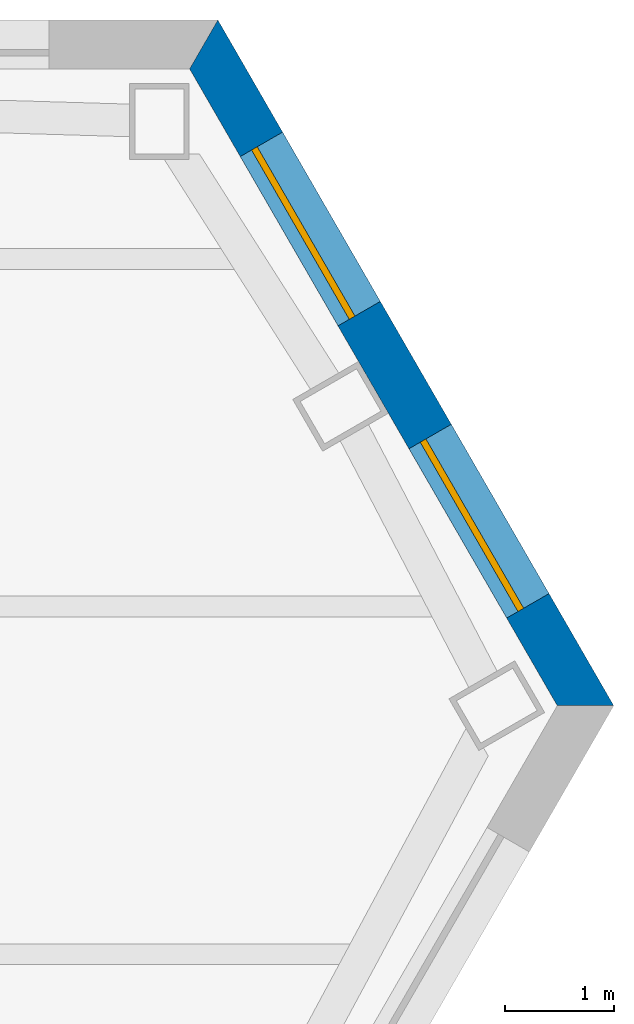
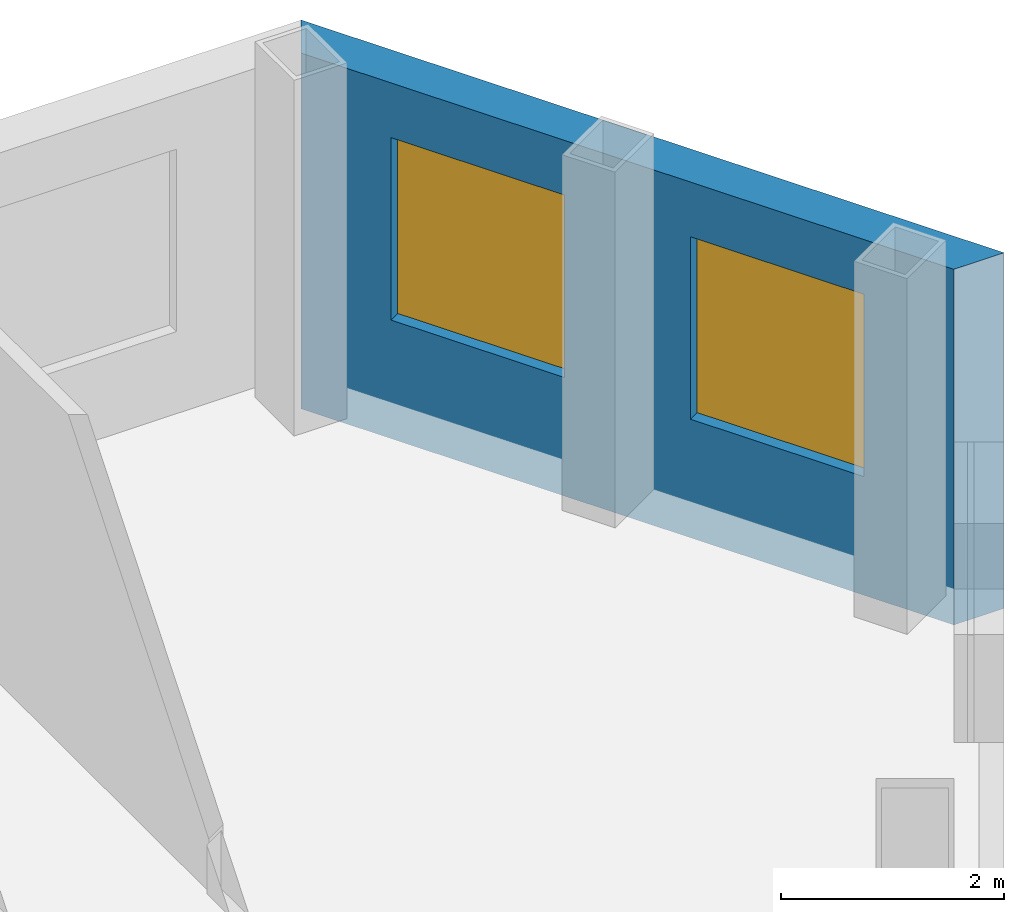
# One storey, part 8 of 11: 2 windows, 1 wall, 2 openings.
"""IFC4 building model written with IfcOpenShell, lengths in metres."""

from ifc_helpers import new_model, si_unit, direction, frame, frame_2d, origin, place, context, subcontext, project, spatial, polyline, rectangle, outline, extrude, material, layer, layer_set, type_object, element, fill, save


model = new_model("IFC4")

# Units and contexts
model_context = context("Model", 3, precision=1e-05, world=origin(), true_north=direction((0.0, 1.0)))
body_context = subcontext(model_context, "Body", "Model", "MODEL_VIEW")
ifc_project = project(units=[si_unit("LENGTHUNIT", "METRE"), si_unit("AREAUNIT", "SQUARE_METRE"), si_unit("VOLUMEUNIT", "CUBIC_METRE"), si_unit("PLANEANGLEUNIT", "RADIAN"), si_unit("MASSUNIT", "GRAM", prefix="KILO")], contexts=[model_context])

# Site, building, storey
site_placement = place(None, origin())
site = spatial("IfcSite", under=ifc_project, at=site_placement, CompositionType="ELEMENT")
building_placement = place(site_placement, origin())
building = spatial("IfcBuilding", under=site, at=building_placement, Name="Njiva Tower", CompositionType="ELEMENT")
storey_placement = place(building_placement, frame((0.0, 0.0, 208.2)))
storey = spatial("IfcBuildingStorey", under=building, at=storey_placement, Name="L46", CompositionType="ELEMENT", Elevation=208.2)

# Wall, openings, windows
ifc_material_1 = material(Name="Brick masonry, buff", Category="masonry")
ifc_layer = layer(ifc_material_1, 0.45)
ifc_layer_set = layer_set([ifc_layer], Name="Brick masonry, buff")
wall_type = type_object("IfcWallType", Name="WT94 Brick pier and spandrel wall 450, buff", PredefinedType="SOLIDWALL", material=ifc_layer_set)
wall_placement = place(storey_placement, frame((26.3852, 13.8867, -0.4), z_axis=(0.0, 0.0, 1.0), x_axis=(-0.500001958282, 0.866024273167, 0.0)))
wall = element("IfcWall", 1, at=wall_placement, inside=storey, type_object=wall_type, Name="Facade wall NE", PredefinedType="SOLIDWALL", context=body_context, shape_type="SweptSolid", body=[
    extrude(outline(polyline([(-0.1299, -0.225), (7.1601, -0.225), (6.9003, 0.225), (0.1299, 0.225), (-0.1299, -0.225)])), origin(), (0.0, 0.0, 1.0), 3.9),
])
opening_1_placement = place(wall_placement, frame((1.0619, 0.0, 1.3)))
opening_1 = element("IfcOpeningElement", 2, at=opening_1_placement, cuts=wall, Name="Opening S15-W33", PredefinedType="OPENING", context=body_context, shape_type="SweptSolid", body=[
    extrude(rectangle(XDim=1.8, YDim=2.0, at=frame_2d((0.9, 1.0))), frame((0.0, 0.235, 0.0), z_axis=(0.0, -1.0, 0.0), x_axis=(1.0, 0.0, 0.0)), (0.0, 0.0, 1.0), 0.47),
])
opening_2_placement = place(wall_placement, frame((4.1682, 0.0, 1.3)))
opening_2 = element("IfcOpeningElement", 3, at=opening_2_placement, cuts=wall, Name="Opening S15-W34", PredefinedType="OPENING", context=body_context, shape_type="SweptSolid", body=[
    extrude(rectangle(XDim=1.8, YDim=2.0, at=frame_2d((0.9, 1.0))), frame((0.0, 0.235, 0.0), z_axis=(0.0, -1.0, 0.0), x_axis=(1.0, 0.0, 0.0)), (0.0, 0.0, 1.0), 0.47),
])
ifc_material_2 = material(Name="Clear glazing in aluminium frame", Category="aluminium")
window_type = type_object("IfcWindowType", Name="W94 Deep-set window 1800x2000", PartitioningType="SINGLE_PANEL", PredefinedType="WINDOW", material=ifc_material_2)
window_1_placement = place(opening_1_placement, origin())
window_1 = element("IfcWindow", 4, at=window_1_placement, inside=storey, type_object=window_type, Name="Window", OverallHeight=2.0, OverallWidth=1.8, PartitioningType="SINGLE_PANEL", PredefinedType="WINDOW", context=body_context, shape_type="SweptSolid", body=[
    extrude(rectangle(XDim=1.8, YDim=2.0, at=frame_2d((0.9, 1.0))), frame((0.0, 0.105, 0.0), z_axis=(0.0, -1.0, 0.0), x_axis=(1.0, 0.0, 0.0)), (0.0, 0.0, 1.0), 0.06),
])
fill(opening_1, window_1)
window_2_placement = place(opening_2_placement, origin())
window_2 = element("IfcWindow", 5, at=window_2_placement, inside=storey, type_object=window_type, Name="Window", OverallHeight=2.0, OverallWidth=1.8, PartitioningType="SINGLE_PANEL", PredefinedType="WINDOW", context=body_context, shape_type="SweptSolid", body=[
    extrude(rectangle(XDim=1.8, YDim=2.0, at=frame_2d((0.9, 1.0))), frame((0.0, 0.105, 0.0), z_axis=(0.0, -1.0, 0.0), x_axis=(1.0, 0.0, 0.0)), (0.0, 0.0, 1.0), 0.06),
])
fill(opening_2, window_2)

save(model, "model.ifc")
